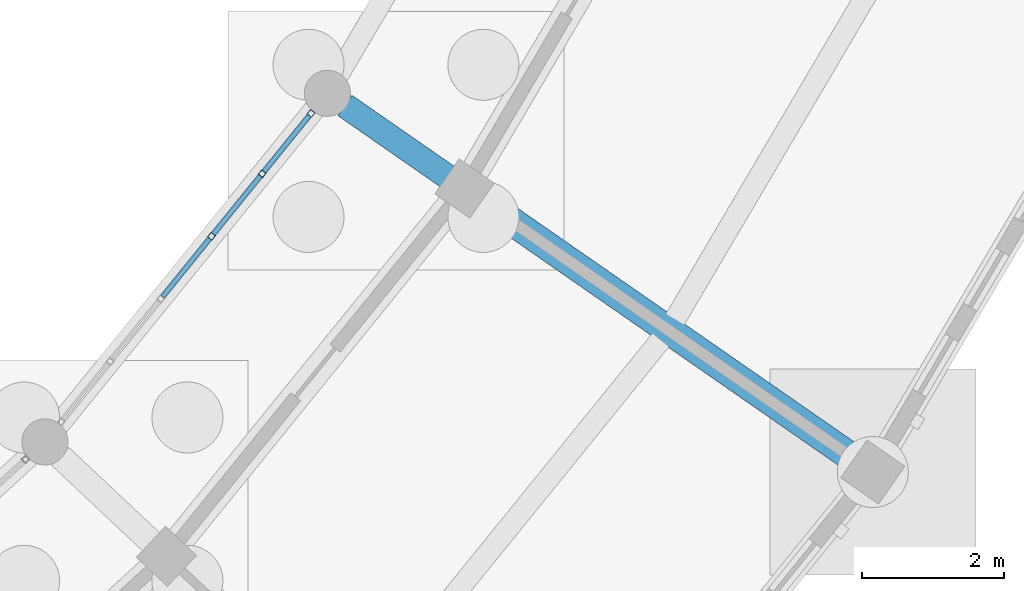
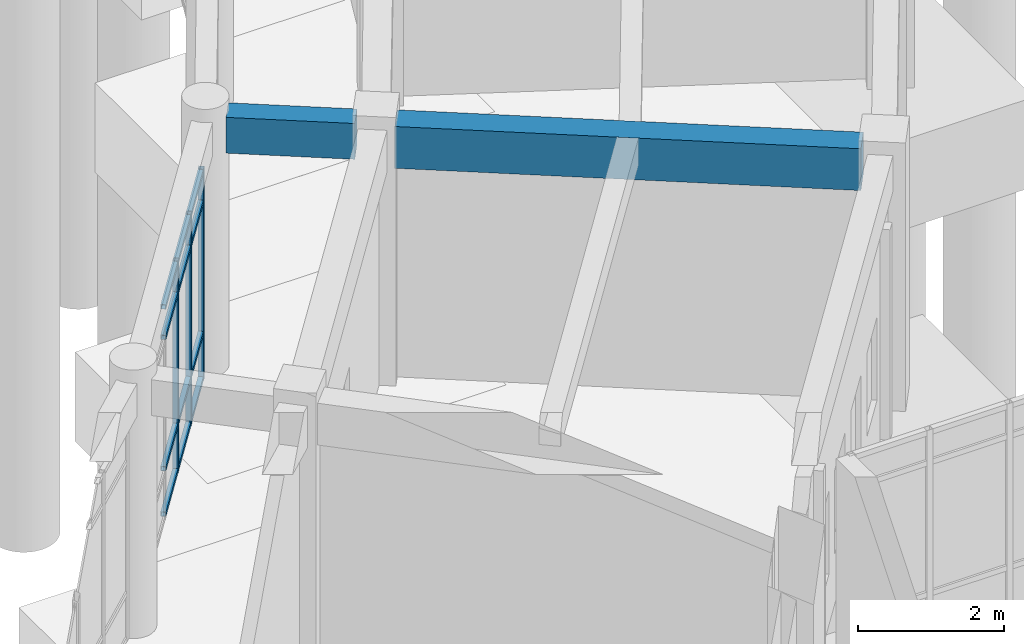
# One storey, part 52 of 153: 15 members, 2 beams, 1 element without a shape of its own.
"""IFC4 building model written with IfcOpenShell, lengths in metres."""

from ifc_helpers import new_model, si_unit, direction, frame, origin, origin_2d, place, context, subcontext, project, spatial, rectangle, hollow_rectangle, extrude, material, material_profile, profile_set, type_object, element, aggregate, save


model = new_model("IFC4")

# Units and contexts
model_context = context("Model", 3, precision=1e-05, world=origin(), true_north=direction((0.0, 1.0)))
body_context = subcontext(model_context, "Body", "Model", "MODEL_VIEW")
ifc_project = project(units=[si_unit("LENGTHUNIT", "METRE"), si_unit("AREAUNIT", "SQUARE_METRE"), si_unit("VOLUMEUNIT", "CUBIC_METRE"), si_unit("PLANEANGLEUNIT", "RADIAN"), si_unit("MASSUNIT", "GRAM", prefix="KILO")], contexts=[model_context])

# Site, building, storey
site_placement = place(None, origin())
site = spatial("IfcSite", under=ifc_project, at=site_placement, CompositionType="ELEMENT")
building_placement = place(site_placement, origin())
building = spatial("IfcBuilding", under=site, at=building_placement, Name="Celadon Cloister-Ring School", CompositionType="ELEMENT")
storey_placement = place(building_placement, origin())
storey = spatial("IfcBuildingStorey", under=building, at=storey_placement, Name="L00", CompositionType="ELEMENT", Elevation=0.0)

# Beam
ifc_material_1 = material(Name="Concrete C35/45", Category="concrete")
ifc_material_profile_1 = material_profile(ifc_material_1, rectangle(XDim=0.35009765625, YDim=0.60009765625, at=origin_2d()), Name="RC350X600")
ifc_profile_set_1 = profile_set([ifc_material_profile_1], Name="Concrete C35/45")
beam_type_1 = type_object("IfcBeamType", Name="BT-02", PredefinedType="BEAM", material=ifc_profile_set_1)
beam_1_placement = place(storey_placement, frame((123.736083984375, 33.489990234375, 3.97998046875), z_axis=(-0.821255410726, 0.570560733273, 0.0), x_axis=(-0.570560733273, -0.821255410726, 0.0)))
element("IfcBeam", 1, at=beam_1_placement, inside=storey, type_object=beam_type_1, Name="Beam 0047", PredefinedType="BEAM", context=body_context, shape_type="SweptSolid", body=[
    extrude(rectangle(XDim=0.35009765625, YDim=0.60009765625, at=origin_2d()), origin(), (0.0, 0.0, 1.0), 1.775390625),
])

# Curtain wall, members
ifc_material_2 = material(Name="Aluminium EN AW-6063 T6", Category="aluminium")
curtain_wall_type = type_object("IfcCurtainWallType", Name="CW-01", PredefinedType="USERDEFINED", material=ifc_material_2)
curtain_wall_placement = place(storey_placement, origin())
curtain_wall = element("IfcCurtainWall", 2, at=curtain_wall_placement, inside=storey, type_object=curtain_wall_type, Name="Curtain Wall 0014", ObjectType="CURTAIN WALL", PredefinedType="USERDEFINED")
ifc_material_3 = material(Name="Aluminium EN AW-6063 T6", Category="aluminium")
ifc_material_profile_2 = material_profile(ifc_material_3, hollow_rectangle(XDim=0.080078125, YDim=0.080078125, WallThickness=0.00390625, at=origin_2d()), Name="RHS80X80X4")
ifc_profile_set_2 = profile_set([ifc_material_profile_2], Name="Aluminium EN AW-6063 T6")
member_type_1 = type_object("IfcMemberType", Name="CM-03", PredefinedType="MULLION", material=ifc_profile_set_2)
member_1_placement = place(storey_placement, frame((120.39990234375, 32.659912109375, 0.0), z_axis=(0.0, 0.0, 1.0), x_axis=(-0.777068192474, 0.629416415615, 0.0)))
member_1 = element("IfcMember", 3, at=member_1_placement, type_object=member_type_1, Name="CW-01 mullion 4", PredefinedType="MULLION", context=body_context, shape_type="SweptSolid", body=[
    extrude(hollow_rectangle(XDim=0.080078125, YDim=0.080078125, WallThickness=0.00390625, at=origin_2d()), origin(), (0.0, 0.0, 1.0), 3.550048828125),
])
member_2_placement = place(storey_placement, frame((121.11328125, 33.541015625, 0.0), z_axis=(0.0, 0.0, 1.0), x_axis=(-0.777068192474, 0.629416415615, 0.0)))
member_2 = element("IfcMember", 4, at=member_2_placement, type_object=member_type_1, Name="CW-01 mullion 5", PredefinedType="MULLION", context=body_context, shape_type="SweptSolid", body=[
    extrude(hollow_rectangle(XDim=0.080078125, YDim=0.080078125, WallThickness=0.00390625, at=origin_2d()), origin(), (0.0, 0.0, 1.0), 3.550048828125),
])
member_3_placement = place(storey_placement, frame((121.8017578125, 34.390869140625, 0.0), z_axis=(0.0, 0.0, 1.0), x_axis=(-0.777068192474, 0.629416415615, 0.0)))
member_3 = element("IfcMember", 5, at=member_3_placement, type_object=member_type_1, Name="CW-01 mullion 6", PredefinedType="MULLION", context=body_context, shape_type="SweptSolid", body=[
    extrude(hollow_rectangle(XDim=0.080078125, YDim=0.080078125, WallThickness=0.00390625, at=origin_2d()), origin(), (0.0, 0.0, 1.0), 3.550048828125),
])
ifc_material_4 = material(Name="Aluminium EN AW-6063 T6", Category="aluminium")
ifc_material_profile_3 = material_profile(ifc_material_4, hollow_rectangle(XDim=0.074951171875, YDim=0.074951171875, WallThickness=0.00390625, at=origin_2d()), Name="RHS75X75X4")
ifc_profile_set_3 = profile_set([ifc_material_profile_3], Name="Aluminium EN AW-6063 T6")
member_type_2 = type_object("IfcMemberType", Name="CTM-03", PredefinedType="USERDEFINED", material=ifc_profile_set_3)
member_4_placement = place(storey_placement, frame((119.71142578125, 31.81005859375, 0.03759765625), z_axis=(0.62931820134, 0.777147734644, 0.0), x_axis=(-0.777147734644, 0.62931820134, 0.0)))
member_4 = element("IfcMember", 6, at=member_4_placement, type_object=member_type_2, Name="CW-01 transom 3.1", ObjectType="TRANSOM", PredefinedType="USERDEFINED", context=body_context, shape_type="SweptSolid", body=[
    extrude(hollow_rectangle(XDim=0.074951171875, YDim=0.074951171875, WallThickness=0.00390625, at=origin_2d()), origin(), (0.0, 0.0, 1.0), 1.0537109375),
])
member_5_placement = place(storey_placement, frame((119.71142578125, 31.81005859375, 0.800048828125), z_axis=(0.62931820134, 0.777147734644, 0.0), x_axis=(-0.777147734644, 0.62931820134, 0.0)))
member_5 = element("IfcMember", 7, at=member_5_placement, type_object=member_type_2, Name="CW-01 transom 3.2", ObjectType="TRANSOM", PredefinedType="USERDEFINED", context=body_context, shape_type="SweptSolid", body=[
    extrude(hollow_rectangle(XDim=0.074951171875, YDim=0.074951171875, WallThickness=0.00390625, at=origin_2d()), origin(), (0.0, 0.0, 1.0), 1.0537109375),
])
member_6_placement = place(storey_placement, frame((119.71142578125, 31.81005859375, 3.0), z_axis=(0.62931820134, 0.777147734644, 0.0), x_axis=(-0.777147734644, 0.62931820134, 0.0)))
member_6 = element("IfcMember", 8, at=member_6_placement, type_object=member_type_2, Name="CW-01 transom 3.3", ObjectType="TRANSOM", PredefinedType="USERDEFINED", context=body_context, shape_type="SweptSolid", body=[
    extrude(hollow_rectangle(XDim=0.074951171875, YDim=0.074951171875, WallThickness=0.00390625, at=origin_2d()), origin(), (0.0, 0.0, 1.0), 1.0537109375),
])
member_7_placement = place(storey_placement, frame((119.71142578125, 31.81005859375, 3.512451171875), z_axis=(0.62931820134, 0.777147734644, 0.0), x_axis=(-0.777147734644, 0.62931820134, 0.0)))
member_7 = element("IfcMember", 9, at=member_7_placement, type_object=member_type_2, Name="CW-01 transom 3.4", ObjectType="TRANSOM", PredefinedType="USERDEFINED", context=body_context, shape_type="SweptSolid", body=[
    extrude(hollow_rectangle(XDim=0.074951171875, YDim=0.074951171875, WallThickness=0.00390625, at=origin_2d()), origin(), (0.0, 0.0, 1.0), 1.0537109375),
])
member_8_placement = place(storey_placement, frame((120.425048828125, 32.691162109375, 0.03759765625), z_axis=(0.62931820134, 0.777147734644, 0.0), x_axis=(-0.777147734644, 0.62931820134, 0.0)))
member_8 = element("IfcMember", 10, at=member_8_placement, type_object=member_type_2, Name="CW-01 transom 4.1", ObjectType="TRANSOM", PredefinedType="USERDEFINED", context=body_context, shape_type="SweptSolid", body=[
    extrude(hollow_rectangle(XDim=0.074951171875, YDim=0.074951171875, WallThickness=0.00390625, at=origin_2d()), origin(), (0.0, 0.0, 1.0), 1.0537109375),
])
member_9_placement = place(storey_placement, frame((120.425048828125, 32.691162109375, 0.800048828125), z_axis=(0.62931820134, 0.777147734644, 0.0), x_axis=(-0.777147734644, 0.62931820134, 0.0)))
member_9 = element("IfcMember", 11, at=member_9_placement, type_object=member_type_2, Name="CW-01 transom 4.2", ObjectType="TRANSOM", PredefinedType="USERDEFINED", context=body_context, shape_type="SweptSolid", body=[
    extrude(hollow_rectangle(XDim=0.074951171875, YDim=0.074951171875, WallThickness=0.00390625, at=origin_2d()), origin(), (0.0, 0.0, 1.0), 1.0537109375),
])
member_10_placement = place(storey_placement, frame((120.425048828125, 32.691162109375, 3.0), z_axis=(0.62931820134, 0.777147734644, 0.0), x_axis=(-0.777147734644, 0.62931820134, 0.0)))
member_10 = element("IfcMember", 12, at=member_10_placement, type_object=member_type_2, Name="CW-01 transom 4.3", ObjectType="TRANSOM", PredefinedType="USERDEFINED", context=body_context, shape_type="SweptSolid", body=[
    extrude(hollow_rectangle(XDim=0.074951171875, YDim=0.074951171875, WallThickness=0.00390625, at=origin_2d()), origin(), (0.0, 0.0, 1.0), 1.0537109375),
])
member_11_placement = place(storey_placement, frame((120.425048828125, 32.691162109375, 3.512451171875), z_axis=(0.62931820134, 0.777147734644, 0.0), x_axis=(-0.777147734644, 0.62931820134, 0.0)))
member_11 = element("IfcMember", 13, at=member_11_placement, type_object=member_type_2, Name="CW-01 transom 4.4", ObjectType="TRANSOM", PredefinedType="USERDEFINED", context=body_context, shape_type="SweptSolid", body=[
    extrude(hollow_rectangle(XDim=0.074951171875, YDim=0.074951171875, WallThickness=0.00390625, at=origin_2d()), origin(), (0.0, 0.0, 1.0), 1.0537109375),
])
member_12_placement = place(storey_placement, frame((121.138671875, 33.572021484375, 0.03759765625), z_axis=(0.629295216568, 0.777166346676, 0.0), x_axis=(-0.777166346676, 0.629295216568, 0.0)))
member_12 = element("IfcMember", 14, at=member_12_placement, type_object=member_type_2, Name="CW-01 transom 5.1", ObjectType="TRANSOM", PredefinedType="USERDEFINED", context=body_context, shape_type="SweptSolid", body=[
    extrude(hollow_rectangle(XDim=0.074951171875, YDim=0.074951171875, WallThickness=0.00390625, at=origin_2d()), origin(), (0.0, 0.0, 1.0), 1.013671875),
])
member_13_placement = place(storey_placement, frame((121.138671875, 33.572021484375, 0.800048828125), z_axis=(0.629295216568, 0.777166346676, 0.0), x_axis=(-0.777166346676, 0.629295216568, 0.0)))
member_13 = element("IfcMember", 15, at=member_13_placement, type_object=member_type_2, Name="CW-01 transom 5.2", ObjectType="TRANSOM", PredefinedType="USERDEFINED", context=body_context, shape_type="SweptSolid", body=[
    extrude(hollow_rectangle(XDim=0.074951171875, YDim=0.074951171875, WallThickness=0.00390625, at=origin_2d()), origin(), (0.0, 0.0, 1.0), 1.013671875),
])
member_14_placement = place(storey_placement, frame((121.138671875, 33.572021484375, 3.0), z_axis=(0.629295216568, 0.777166346676, 0.0), x_axis=(-0.777166346676, 0.629295216568, 0.0)))
member_14 = element("IfcMember", 16, at=member_14_placement, type_object=member_type_2, Name="CW-01 transom 5.3", ObjectType="TRANSOM", PredefinedType="USERDEFINED", context=body_context, shape_type="SweptSolid", body=[
    extrude(hollow_rectangle(XDim=0.074951171875, YDim=0.074951171875, WallThickness=0.00390625, at=origin_2d()), origin(), (0.0, 0.0, 1.0), 1.013671875),
])
member_15_placement = place(storey_placement, frame((121.138671875, 33.572021484375, 3.512451171875), z_axis=(0.629295216568, 0.777166346676, 0.0), x_axis=(-0.777166346676, 0.629295216568, 0.0)))
member_15 = element("IfcMember", 17, at=member_15_placement, type_object=member_type_2, Name="CW-01 transom 5.4", ObjectType="TRANSOM", PredefinedType="USERDEFINED", context=body_context, shape_type="SweptSolid", body=[
    extrude(hollow_rectangle(XDim=0.074951171875, YDim=0.074951171875, WallThickness=0.00390625, at=origin_2d()), origin(), (0.0, 0.0, 1.0), 1.013671875),
])
aggregate(curtain_wall, [member_1, member_2, member_3, member_4, member_5, member_6, member_7, member_8, member_9, member_10, member_11, member_12, member_13, member_14, member_15])

# Beam
ifc_material_5 = material(Name="Concrete C35/45", Category="concrete")
ifc_material_profile_4 = material_profile(ifc_material_5, rectangle(XDim=0.39990234375, YDim=0.699951171875, at=origin_2d()), Name="RC400X700")
ifc_profile_set_4 = profile_set([ifc_material_profile_4], Name="Concrete C35/45")
beam_type_2 = type_object("IfcBeamType", Name="GT-03", PredefinedType="USERDEFINED", material=ifc_profile_set_4)
beam_2_placement = place(storey_placement, frame((129.466064453125, 29.511962890625, 3.929931640625), z_axis=(-0.82146242605, 0.570262643515, 0.0), x_axis=(-0.570262643515, -0.82146242605, 0.0)))
element("IfcBeam", 18, at=beam_2_placement, inside=storey, type_object=beam_type_2, Name="Beam 0046", ObjectType="GIRDER", PredefinedType="USERDEFINED", context=body_context, shape_type="SweptSolid", body=[
    extrude(rectangle(XDim=0.39990234375, YDim=0.699951171875, at=origin_2d()), origin(), (0.0, 0.0, 1.0), 6.42529296875),
])

save(model, "model.ifc")
